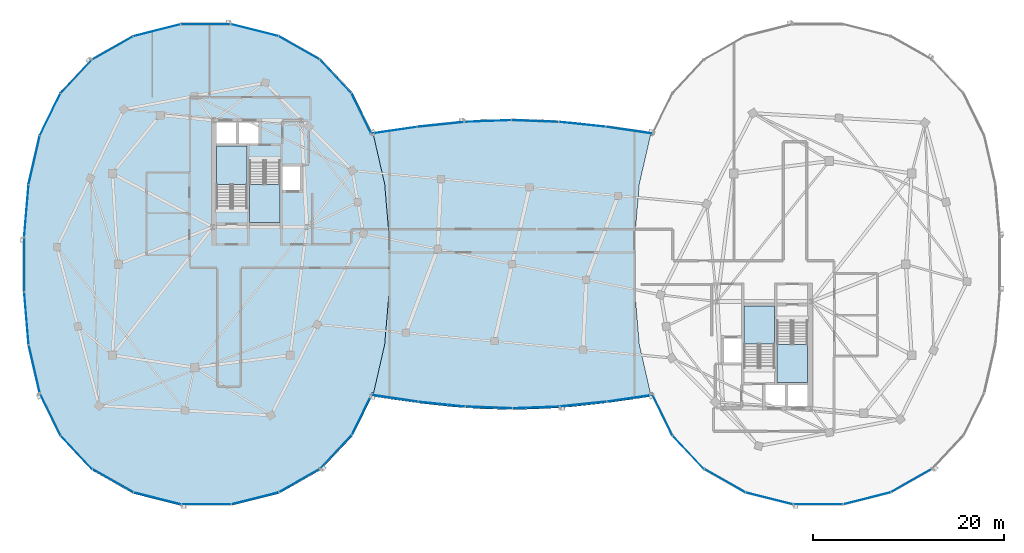
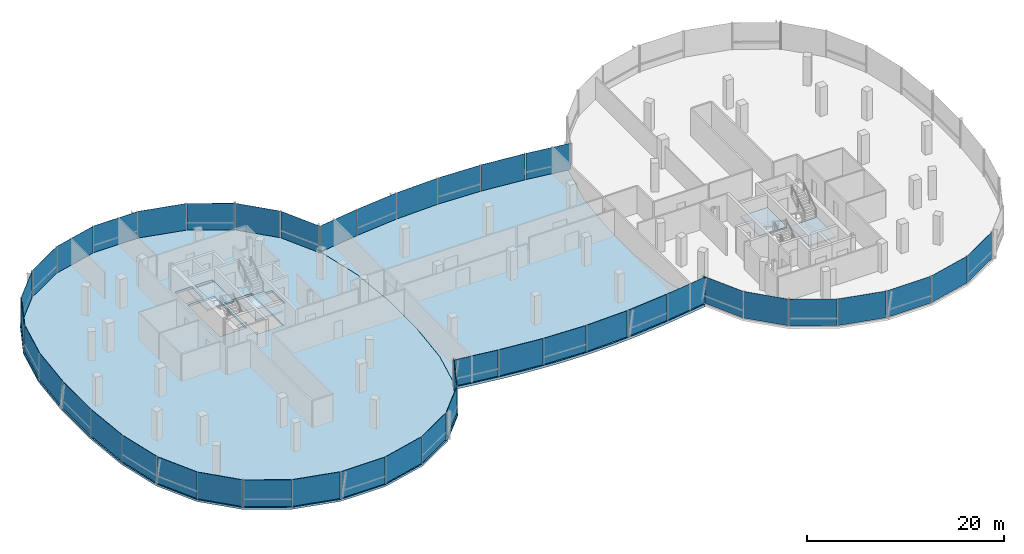
# One storey, part 12 of 24: 42 plates, 6 slabs, 11 elements without a shape of their own.
"""IFC4 building model written with IfcOpenShell, lengths in metres."""

from ifc_helpers import new_model, si_unit, direction, frame, origin, origin_2d, place, context, subcontext, project, spatial, polyline, rectangle, outline, extrude, material, layer, layer_set, type_object, element, aggregate, save


model = new_model("IFC4")

# Units and contexts
model_context = context("Model", 3, precision=1e-05, world=origin(), true_north=direction((0.0, 1.0)))
body_context = subcontext(model_context, "Body", "Model", "MODEL_VIEW")
ifc_project = project(units=[si_unit("LENGTHUNIT", "METRE"), si_unit("AREAUNIT", "SQUARE_METRE"), si_unit("VOLUMEUNIT", "CUBIC_METRE"), si_unit("PLANEANGLEUNIT", "RADIAN"), si_unit("MASSUNIT", "GRAM", prefix="KILO"), si_unit("THERMODYNAMICTEMPERATUREUNIT", "KELVIN"), si_unit("POWERUNIT", "WATT")], contexts=[model_context])

# Site, building, storey
site_placement = place(None, origin())
site = spatial("IfcSite", under=ifc_project, at=site_placement, CompositionType="ELEMENT")
building_placement = place(site_placement, origin())
building = spatial("IfcBuilding", under=site, at=building_placement, Name="Cundina Bronze Exchange", CompositionType="ELEMENT")
storey_placement = place(building_placement, frame((0.0, 0.0, 268.39990234375)))
storey = spatial("IfcBuildingStorey", under=building, at=storey_placement, Name="L71", CompositionType="ELEMENT", Elevation=268.39990234375)

# Curtain wall, plates
ifc_material_1 = material(Name="Anodised Bronze Aluminium 6063-T6", Category="aluminium")
curtain_wall_type = type_object("IfcCurtainWallType", Name="CWS-SKG-BRG", PredefinedType="NOTDEFINED", material=ifc_material_1)
curtain_wall_1_placement = place(storey_placement, origin())
curtain_wall_1 = element("IfcCurtainWall", 1, at=curtain_wall_1_placement, inside=storey, type_object=curtain_wall_type, Name="L71 CW-06 Curtain Wall Run CWR-L71-W1", PredefinedType="NOTDEFINED")
ifc_material_2 = material(Name="Heat-Strengthened Solar-Control Bronze Safety Glass 28mm", Category="glass")
ifc_layer_1 = layer(ifc_material_2, 0.028076171875, Name="Heat-Strengthened Solar-Control Bronze Safety Glass 28mm", Category="glass")
ifc_layer_set_1 = layer_set([ifc_layer_1], Name="Heat-Strengthened Solar-Control Bronze Safety Glass 28mm")
plate_type_1 = type_object("IfcPlateType", Name="PLT-GLZ-VIS28", PredefinedType="CURTAIN_PANEL", material=ifc_layer_set_1)
plate_1_placement = place(storey_placement, frame((-15.69873046875, 15.68017578125, 0.02001953125), z_axis=(0.0, 0.0, 1.0), x_axis=(-0.440503330345, 0.897750976582, 0.0)))
plate_1 = element("IfcPlate", 2, at=plate_1_placement, type_object=plate_type_1, Name="CW-06 Glazed Panel 1", PredefinedType="CURTAIN_PANEL", context=body_context, shape_type="SweptSolid", body=[
    extrude(rectangle(XDim=4.863525390625, YDim=0.028076171875, at=origin_2d()), origin(), (0.0, 0.0, 1.0), 3.300048828125),
])
plate_2_placement = place(storey_placement, frame((-18.431884765625, 19.64501953125, 0.02001953125), z_axis=(0.0, 0.0, 1.0), x_axis=(-0.684343512797, 0.72915976061, 0.0)))
plate_2 = element("IfcPlate", 3, at=plate_2_placement, type_object=plate_type_1, Name="CW-06 Glazed Panel 2", PredefinedType="CURTAIN_PANEL", context=body_context, shape_type="SweptSolid", body=[
    extrude(rectangle(XDim=4.773193359375, YDim=0.028076171875, at=origin_2d()), origin(), (0.0, 0.0, 1.0), 3.300048828125),
])
plate_3_placement = place(storey_placement, frame((-22.23828125, 22.6279296875, 0.02001953125), z_axis=(0.0, 0.0, 1.0), x_axis=(-0.869572506985, 0.493805280547, 0.0)))
plate_3 = element("IfcPlate", 4, at=plate_3_placement, type_object=plate_type_1, Name="CW-06 Glazed Panel 3", PredefinedType="CURTAIN_PANEL", context=body_context, shape_type="SweptSolid", body=[
    extrude(rectangle(XDim=4.907958984375, YDim=0.028076171875, at=origin_2d()), origin(), (0.0, 0.0, 1.0), 3.300048828125),
])
plate_4_placement = place(storey_placement, frame((-32.0, 25.110107421875, 0.02001953125), z_axis=(0.0, 0.0, 1.0), x_axis=(-1.0, 0.0, 0.0)))
plate_4 = element("IfcPlate", 5, at=plate_4_placement, type_object=plate_type_1, Name="CW-06 Glazed Panel 5", PredefinedType="CURTAIN_PANEL", context=body_context, shape_type="SweptSolid", body=[
    extrude(rectangle(XDim=5.16796875, YDim=0.028076171875, at=origin_2d()), origin(), (0.0, 0.0, 1.0), 3.300048828125),
])
plate_5_placement = place(storey_placement, frame((-37.109375, 24.4814453125, 0.02001953125), z_axis=(0.0, 0.0, 1.0), x_axis=(-0.969731542251, -0.244173577528, 0.0)))
plate_5 = element("IfcPlate", 6, at=plate_5_placement, type_object=plate_type_1, Name="CW-06 Glazed Panel 6", PredefinedType="CURTAIN_PANEL", context=body_context, shape_type="SweptSolid", body=[
    extrude(rectangle(XDim=5.0908203125, YDim=0.028076171875, at=origin_2d()), origin(), (0.0, 0.0, 1.0), 3.300048828125),
])
plate_6_placement = place(storey_placement, frame((-41.76171875, 22.6279296875, 0.02001953125), z_axis=(0.0, 0.0, 1.0), x_axis=(-0.869572506985, -0.493805280547, 0.0)))
plate_6 = element("IfcPlate", 7, at=plate_6_placement, type_object=plate_type_1, Name="CW-06 Glazed Panel 7", PredefinedType="CURTAIN_PANEL", context=body_context, shape_type="SweptSolid", body=[
    extrude(rectangle(XDim=4.907958984375, YDim=0.028076171875, at=origin_2d()), origin(), (0.0, 0.0, 1.0), 3.300048828125),
])

curtain_wall_2_placement = place(storey_placement, origin())
curtain_wall_2 = element("IfcCurtainWall", 8, at=curtain_wall_2_placement, inside=storey, type_object=curtain_wall_type, Name="L71 CW-06 Curtain Wall Run CWR-L71-W2", PredefinedType="NOTDEFINED")
plate_7_placement = place(storey_placement, frame((-45.568115234375, 19.64501953125, 0.02001953125), z_axis=(0.0, 0.0, 1.0), x_axis=(-0.684343512797, -0.72915976061, 0.0)))
plate_7 = element("IfcPlate", 9, at=plate_7_placement, type_object=plate_type_1, Name="CW-06 Glazed Panel 1", PredefinedType="CURTAIN_PANEL", context=body_context, shape_type="SweptSolid", body=[
    extrude(rectangle(XDim=4.773193359375, YDim=0.028076171875, at=origin_2d()), origin(), (0.0, 0.0, 1.0), 3.300048828125),
])
plate_8_placement = place(storey_placement, frame((-48.30126953125, 15.68017578125, 0.02001953125), z_axis=(0.0, 0.0, 1.0), x_axis=(-0.440503330345, -0.897750976582, 0.0)))
plate_8 = element("IfcPlate", 10, at=plate_8_placement, type_object=plate_type_1, Name="CW-06 Glazed Panel 2", PredefinedType="CURTAIN_PANEL", context=body_context, shape_type="SweptSolid", body=[
    extrude(rectangle(XDim=4.863525390625, YDim=0.028076171875, at=origin_2d()), origin(), (0.0, 0.0, 1.0), 3.300048828125),
])
plate_9_placement = place(storey_placement, frame((-50.78662109375, 5.605712890625, 0.02001953125), z_axis=(0.0, 0.0, 1.0), x_axis=(-0.083747411454, -0.996487015006, 0.0)))
plate_9 = element("IfcPlate", 11, at=plate_9_placement, type_object=plate_type_1, Name="CW-06 Glazed Panel 4", PredefinedType="CURTAIN_PANEL", context=body_context, shape_type="SweptSolid", body=[
    extrude(rectangle(XDim=5.474609375, YDim=0.028076171875, at=origin_2d()), origin(), (0.0, 0.0, 1.0), 3.300048828125),
])
plate_10_placement = place(storey_placement, frame((-51.01904296875, 0.0, 0.02001953125), z_axis=(0.0, 0.0, 1.0), x_axis=(0.0, -1.0, 0.0)))
plate_10 = element("IfcPlate", 12, at=plate_10_placement, type_object=plate_type_1, Name="CW-06 Glazed Panel 5", PredefinedType="CURTAIN_PANEL", context=body_context, shape_type="SweptSolid", body=[
    extrude(rectangle(XDim=5.597900390625, YDim=0.028076171875, at=origin_2d()), origin(), (0.0, 0.0, 1.0), 3.300048828125),
])
plate_11_placement = place(storey_placement, frame((-50.78662109375, -5.605712890625, 0.02001953125), z_axis=(0.0, 0.0, 1.0), x_axis=(0.083747411454, -0.996487015006, 0.0)))
plate_11 = element("IfcPlate", 13, at=plate_11_placement, type_object=plate_type_1, Name="CW-06 Glazed Panel 6", PredefinedType="CURTAIN_PANEL", context=body_context, shape_type="SweptSolid", body=[
    extrude(rectangle(XDim=5.474609375, YDim=0.028076171875, at=origin_2d()), origin(), (0.0, 0.0, 1.0), 3.300048828125),
])
plate_12_placement = place(storey_placement, frame((-49.96923828125, -10.922607421875, 0.02001953125), z_axis=(0.0, 0.0, 1.0), x_axis=(0.223284141459, -0.974753400698, 0.0)))
plate_12 = element("IfcPlate", 14, at=plate_12_placement, type_object=plate_type_1, Name="CW-06 Glazed Panel 7", PredefinedType="CURTAIN_PANEL", context=body_context, shape_type="SweptSolid", body=[
    extrude(rectangle(XDim=5.167724609375, YDim=0.028076171875, at=origin_2d()), origin(), (0.0, 0.0, 1.0), 3.300048828125),
])

curtain_wall_3_placement = place(storey_placement, origin())
curtain_wall_3 = element("IfcCurtainWall", 15, at=curtain_wall_3_placement, inside=storey, type_object=curtain_wall_type, Name="L71 CW-06 Curtain Wall Run CWR-L71-W3", PredefinedType="NOTDEFINED")
plate_13_placement = place(storey_placement, frame((-48.30126953125, -15.68017578125, 0.02001953125), z_axis=(0.0, 0.0, 1.0), x_axis=(0.440503330345, -0.897750976582, 0.0)))
plate_13 = element("IfcPlate", 16, at=plate_13_placement, type_object=plate_type_1, Name="CW-06 Glazed Panel 1", PredefinedType="CURTAIN_PANEL", context=body_context, shape_type="SweptSolid", body=[
    extrude(rectangle(XDim=4.863525390625, YDim=0.028076171875, at=origin_2d()), origin(), (0.0, 0.0, 1.0), 3.300048828125),
])
plate_14_placement = place(storey_placement, frame((-41.76171875, -22.6279296875, 0.02001953125), z_axis=(0.0, 0.0, 1.0), x_axis=(0.869572506985, -0.493805280547, 0.0)))
plate_14 = element("IfcPlate", 17, at=plate_14_placement, type_object=plate_type_1, Name="CW-06 Glazed Panel 3", PredefinedType="CURTAIN_PANEL", context=body_context, shape_type="SweptSolid", body=[
    extrude(rectangle(XDim=4.907958984375, YDim=0.028076171875, at=origin_2d()), origin(), (0.0, 0.0, 1.0), 3.300048828125),
])
plate_15_placement = place(storey_placement, frame((-37.109375, -24.4814453125, 0.02001953125), z_axis=(0.0, 0.0, 1.0), x_axis=(0.969731542251, -0.244173577528, 0.0)))
plate_15 = element("IfcPlate", 18, at=plate_15_placement, type_object=plate_type_1, Name="CW-06 Glazed Panel 4", PredefinedType="CURTAIN_PANEL", context=body_context, shape_type="SweptSolid", body=[
    extrude(rectangle(XDim=5.0908203125, YDim=0.028076171875, at=origin_2d()), origin(), (0.0, 0.0, 1.0), 3.300048828125),
])
plate_16_placement = place(storey_placement, frame((-32.0, -25.110107421875, 0.02001953125), z_axis=(0.0, 0.0, 1.0), x_axis=(1.0, 0.0, 0.0)))
plate_16 = element("IfcPlate", 19, at=plate_16_placement, type_object=plate_type_1, Name="CW-06 Glazed Panel 5", PredefinedType="CURTAIN_PANEL", context=body_context, shape_type="SweptSolid", body=[
    extrude(rectangle(XDim=5.16796875, YDim=0.028076171875, at=origin_2d()), origin(), (0.0, 0.0, 1.0), 3.300048828125),
])
plate_17_placement = place(storey_placement, frame((-26.890625, -24.4814453125, 0.02001953125), z_axis=(0.0, 0.0, 1.0), x_axis=(0.969731542251, 0.244173577528, 0.0)))
plate_17 = element("IfcPlate", 20, at=plate_17_placement, type_object=plate_type_1, Name="CW-06 Glazed Panel 6", PredefinedType="CURTAIN_PANEL", context=body_context, shape_type="SweptSolid", body=[
    extrude(rectangle(XDim=5.0908203125, YDim=0.028076171875, at=origin_2d()), origin(), (0.0, 0.0, 1.0), 3.300048828125),
])

# Curtain wall, plate
curtain_wall_4_placement = place(storey_placement, origin())
curtain_wall_4 = element("IfcCurtainWall", 21, at=curtain_wall_4_placement, inside=storey, type_object=curtain_wall_type, Name="L71 CW-06 Curtain Wall Run CWR-L71-W4", PredefinedType="NOTDEFINED")
plate_18_placement = place(storey_placement, frame((-15.69873046875, -15.68017578125, 0.02001953125), z_axis=(0.0, 0.0, 1.0), x_axis=(0.440503330345, 0.897750976582, 0.0)))
plate_18 = element("IfcPlate", 22, at=plate_18_placement, type_object=plate_type_1, Name="CW-06 Glazed Panel 2", PredefinedType="CURTAIN_PANEL", context=body_context, shape_type="SweptSolid", body=[
    extrude(rectangle(XDim=4.863525390625, YDim=0.028076171875, at=origin_2d()), origin(), (0.0, 0.0, 1.0), 3.300048828125),
])

# Curtain wall, plates
curtain_wall_5_placement = place(storey_placement, origin())
curtain_wall_5 = element("IfcCurtainWall", 23, at=curtain_wall_5_placement, inside=storey, type_object=curtain_wall_type, Name="L71 CW-06 Curtain Wall Run CWR-L71-E3", PredefinedType="NOTDEFINED")
plate_19_placement = place(storey_placement, frame((15.69873046875, -15.68017578125, 0.02001953125), z_axis=(0.0, 0.0, 1.0), x_axis=(0.440503330345, -0.897750976582, 0.0)))
plate_19 = element("IfcPlate", 24, at=plate_19_placement, type_object=plate_type_1, Name="CW-06 Glazed Panel 1", PredefinedType="CURTAIN_PANEL", context=body_context, shape_type="SweptSolid", body=[
    extrude(rectangle(XDim=4.863525390625, YDim=0.028076171875, at=origin_2d()), origin(), (0.0, 0.0, 1.0), 3.300048828125),
])
plate_20_placement = place(storey_placement, frame((22.23828125, -22.6279296875, 0.02001953125), z_axis=(0.0, 0.0, 1.0), x_axis=(0.869572506985, -0.493805280547, 0.0)))
plate_20 = element("IfcPlate", 25, at=plate_20_placement, type_object=plate_type_1, Name="CW-06 Glazed Panel 3", PredefinedType="CURTAIN_PANEL", context=body_context, shape_type="SweptSolid", body=[
    extrude(rectangle(XDim=4.907958984375, YDim=0.028076171875, at=origin_2d()), origin(), (0.0, 0.0, 1.0), 3.300048828125),
])
plate_21_placement = place(storey_placement, frame((26.890625, -24.4814453125, 0.02001953125), z_axis=(0.0, 0.0, 1.0), x_axis=(0.969731542251, -0.244173577528, 0.0)))
plate_21 = element("IfcPlate", 26, at=plate_21_placement, type_object=plate_type_1, Name="CW-06 Glazed Panel 4", PredefinedType="CURTAIN_PANEL", context=body_context, shape_type="SweptSolid", body=[
    extrude(rectangle(XDim=5.0908203125, YDim=0.028076171875, at=origin_2d()), origin(), (0.0, 0.0, 1.0), 3.300048828125),
])
plate_22_placement = place(storey_placement, frame((32.0, -25.110107421875, 0.02001953125), z_axis=(0.0, 0.0, 1.0), x_axis=(1.0, 0.0, 0.0)))
plate_22 = element("IfcPlate", 27, at=plate_22_placement, type_object=plate_type_1, Name="CW-06 Glazed Panel 5", PredefinedType="CURTAIN_PANEL", context=body_context, shape_type="SweptSolid", body=[
    extrude(rectangle(XDim=5.16796875, YDim=0.028076171875, at=origin_2d()), origin(), (0.0, 0.0, 1.0), 3.300048828125),
])
plate_23_placement = place(storey_placement, frame((37.109375, -24.4814453125, 0.02001953125), z_axis=(0.0, 0.0, 1.0), x_axis=(0.969731542251, 0.244173577528, 0.0)))
plate_23 = element("IfcPlate", 28, at=plate_23_placement, type_object=plate_type_1, Name="CW-06 Glazed Panel 6", PredefinedType="CURTAIN_PANEL", context=body_context, shape_type="SweptSolid", body=[
    extrude(rectangle(XDim=5.0908203125, YDim=0.028076171875, at=origin_2d()), origin(), (0.0, 0.0, 1.0), 3.300048828125),
])

curtain_wall_6_placement = place(storey_placement, origin())
curtain_wall_6 = element("IfcCurtainWall", 29, at=curtain_wall_6_placement, inside=storey, type_object=curtain_wall_type, Name="L71 CW-06 Curtain Wall Run CWR-L71-BRGS", PredefinedType="NOTDEFINED")
plate_24_placement = place(storey_placement, frame((-12.356201171875, -14.012451171875, 0.02001953125), z_axis=(0.0, 0.0, 1.0), x_axis=(0.989528308409, -0.144338930496, 0.0)))
plate_24 = element("IfcPlate", 30, at=plate_24_placement, type_object=plate_type_1, Name="CW-06 Glazed Panel 1", PredefinedType="CURTAIN_PANEL", context=body_context, shape_type="SweptSolid", body=[
    extrude(rectangle(XDim=4.912353515625, YDim=0.028076171875, at=origin_2d()), origin(), (0.0, 0.0, 1.0), 3.239990234375),
])
plate_25_placement = place(storey_placement, frame((-7.41162109375, -14.629150390625, 0.02001953125), z_axis=(0.0, 0.0, 1.0), x_axis=(0.994672274174, -0.103087666525, 0.0)))
plate_25 = element("IfcPlate", 31, at=plate_25_placement, type_object=plate_type_1, Name="CW-06 Glazed Panel 2", PredefinedType="CURTAIN_PANEL", context=body_context, shape_type="SweptSolid", body=[
    extrude(rectangle(XDim=4.886474609375, YDim=0.028076171875, at=origin_2d()), origin(), (0.0, 0.0, 1.0), 3.239990234375),
])
plate_26_placement = place(storey_placement, frame((-2.47021484375, -14.9775390625, 0.02001953125), z_axis=(0.0, 0.0, 1.0), x_axis=(0.999302568116, -0.037341362551, 0.0)))
plate_26 = element("IfcPlate", 32, at=plate_26_placement, type_object=plate_type_1, Name="CW-06 Glazed Panel 3", PredefinedType="CURTAIN_PANEL", context=body_context, shape_type="SweptSolid", body=[
    extrude(rectangle(XDim=4.863525390625, YDim=0.028076171875, at=origin_2d()), origin(), (0.0, 0.0, 1.0), 3.239990234375),
])
plate_27_placement = place(storey_placement, frame((2.47021484375, -14.9775390625, 0.02001953125), z_axis=(0.0, 0.0, 1.0), x_axis=(0.999302568116, 0.037341362551, 0.0)))
plate_27 = element("IfcPlate", 33, at=plate_27_placement, type_object=plate_type_1, Name="CW-06 Glazed Panel 4", PredefinedType="CURTAIN_PANEL", context=body_context, shape_type="SweptSolid", body=[
    extrude(rectangle(XDim=4.863525390625, YDim=0.028076171875, at=origin_2d()), origin(), (0.0, 0.0, 1.0), 3.239990234375),
])
plate_28_placement = place(storey_placement, frame((12.356201171875, -14.012451171875, 0.02001953125), z_axis=(0.0, 0.0, 1.0), x_axis=(0.989528308409, 0.144338930496, 0.0)))
plate_28 = element("IfcPlate", 34, at=plate_28_placement, type_object=plate_type_1, Name="CW-06 Glazed Panel 6", PredefinedType="CURTAIN_PANEL", context=body_context, shape_type="SweptSolid", body=[
    extrude(rectangle(XDim=4.912353515625, YDim=0.028076171875, at=origin_2d()), origin(), (0.0, 0.0, 1.0), 3.239990234375),
])

curtain_wall_7_placement = place(storey_placement, origin())
curtain_wall_7 = element("IfcCurtainWall", 35, at=curtain_wall_7_placement, inside=storey, type_object=curtain_wall_type, Name="L71 CW-06 Curtain Wall Run CWR-L71-BRGN", PredefinedType="NOTDEFINED")
plate_29_placement = place(storey_placement, frame((12.356201171875, 14.012451171875, 0.02001953125), z_axis=(0.0, 0.0, 1.0), x_axis=(-0.989528308409, 0.144338930496, 0.0)))
plate_29 = element("IfcPlate", 36, at=plate_29_placement, type_object=plate_type_1, Name="CW-06 Glazed Panel 1", PredefinedType="CURTAIN_PANEL", context=body_context, shape_type="SweptSolid", body=[
    extrude(rectangle(XDim=4.912353515625, YDim=0.028076171875, at=origin_2d()), origin(), (0.0, 0.0, 1.0), 3.239990234375),
])
plate_30_placement = place(storey_placement, frame((2.47021484375, 14.9775390625, 0.02001953125), z_axis=(0.0, 0.0, 1.0), x_axis=(-0.999302568116, 0.037341362551, 0.0)))
plate_30 = element("IfcPlate", 37, at=plate_30_placement, type_object=plate_type_1, Name="CW-06 Glazed Panel 3", PredefinedType="CURTAIN_PANEL", context=body_context, shape_type="SweptSolid", body=[
    extrude(rectangle(XDim=4.863525390625, YDim=0.028076171875, at=origin_2d()), origin(), (0.0, 0.0, 1.0), 3.239990234375),
])
plate_31_placement = place(storey_placement, frame((-2.47021484375, 14.9775390625, 0.02001953125), z_axis=(0.0, 0.0, 1.0), x_axis=(-0.999302568116, -0.037341362551, 0.0)))
plate_31 = element("IfcPlate", 38, at=plate_31_placement, type_object=plate_type_1, Name="CW-06 Glazed Panel 4", PredefinedType="CURTAIN_PANEL", context=body_context, shape_type="SweptSolid", body=[
    extrude(rectangle(XDim=4.863525390625, YDim=0.028076171875, at=origin_2d()), origin(), (0.0, 0.0, 1.0), 3.239990234375),
])
plate_32_placement = place(storey_placement, frame((-7.41162109375, 14.629150390625, 0.02001953125), z_axis=(0.0, 0.0, 1.0), x_axis=(-0.994672274174, -0.103087666525, 0.0)))
plate_32 = element("IfcPlate", 39, at=plate_32_placement, type_object=plate_type_1, Name="CW-06 Glazed Panel 5", PredefinedType="CURTAIN_PANEL", context=body_context, shape_type="SweptSolid", body=[
    extrude(rectangle(XDim=4.886474609375, YDim=0.028076171875, at=origin_2d()), origin(), (0.0, 0.0, 1.0), 3.239990234375),
])
plate_33_placement = place(storey_placement, frame((-12.356201171875, 14.012451171875, 0.02001953125), z_axis=(0.0, 0.0, 1.0), x_axis=(-0.989528308409, -0.144338930496, 0.0)))
plate_33 = element("IfcPlate", 40, at=plate_33_placement, type_object=plate_type_1, Name="CW-06 Glazed Panel 6", PredefinedType="CURTAIN_PANEL", context=body_context, shape_type="SweptSolid", body=[
    extrude(rectangle(XDim=4.912353515625, YDim=0.028076171875, at=origin_2d()), origin(), (0.0, 0.0, 1.0), 3.239990234375),
])

# Plate
ifc_material_3 = material(Name="Dark Bronze Spandrel Glass Panel 32mm", Category="glass")
ifc_layer_2 = layer(ifc_material_3, 0.031982421875, Name="Dark Bronze Spandrel Glass Panel 32mm", Category="glass")
ifc_layer_set_2 = layer_set([ifc_layer_2], Name="Dark Bronze Spandrel Glass Panel 32mm")
plate_type_2 = type_object("IfcPlateType", Name="PLT-SPN-BRZ32", PredefinedType="CURTAIN_PANEL", material=ifc_layer_set_2)
plate_34_placement = place(storey_placement, frame((-26.890625, 24.4814453125, 0.02001953125), z_axis=(0.0, 0.0, 1.0), x_axis=(-0.969731542251, 0.244173577528, 0.0)))
plate_34 = element("IfcPlate", 41, at=plate_34_placement, type_object=plate_type_2, Name="CW-06 Glazed Panel 4", PredefinedType="CURTAIN_PANEL", context=body_context, shape_type="SweptSolid", body=[
    extrude(rectangle(XDim=5.0908203125, YDim=0.031982421875, at=origin_2d()), origin(), (0.0, 0.0, 1.0), 3.300048828125),
])

aggregate(curtain_wall_1, [plate_1, plate_2, plate_3, plate_34, plate_4, plate_5, plate_6])

plate_35_placement = place(storey_placement, frame((-49.96923828125, 10.922607421875, 0.02001953125), z_axis=(0.0, 0.0, 1.0), x_axis=(-0.223284141459, -0.974753400698, 0.0)))
plate_35 = element("IfcPlate", 42, at=plate_35_placement, type_object=plate_type_2, Name="CW-06 Glazed Panel 3", PredefinedType="CURTAIN_PANEL", context=body_context, shape_type="SweptSolid", body=[
    extrude(rectangle(XDim=5.167724609375, YDim=0.031982421875, at=origin_2d()), origin(), (0.0, 0.0, 1.0), 3.300048828125),
])

aggregate(curtain_wall_2, [plate_7, plate_8, plate_35, plate_9, plate_10, plate_11, plate_12])

plate_36_placement = place(storey_placement, frame((-45.568115234375, -19.64501953125, 0.02001953125), z_axis=(0.0, 0.0, 1.0), x_axis=(0.684343512797, -0.72915976061, 0.0)))
plate_36 = element("IfcPlate", 43, at=plate_36_placement, type_object=plate_type_2, Name="CW-06 Glazed Panel 2", PredefinedType="CURTAIN_PANEL", context=body_context, shape_type="SweptSolid", body=[
    extrude(rectangle(XDim=4.773193359375, YDim=0.031982421875, at=origin_2d()), origin(), (0.0, 0.0, 1.0), 3.300048828125),
])

plate_37_placement = place(storey_placement, frame((-22.23828125, -22.6279296875, 0.02001953125), z_axis=(0.0, 0.0, 1.0), x_axis=(0.869572506985, 0.493805280547, 0.0)))
plate_37 = element("IfcPlate", 44, at=plate_37_placement, type_object=plate_type_2, Name="CW-06 Glazed Panel 7", PredefinedType="CURTAIN_PANEL", context=body_context, shape_type="SweptSolid", body=[
    extrude(rectangle(XDim=4.907958984375, YDim=0.031982421875, at=origin_2d()), origin(), (0.0, 0.0, 1.0), 3.300048828125),
])

aggregate(curtain_wall_3, [plate_13, plate_36, plate_14, plate_15, plate_16, plate_17, plate_37])

plate_38_placement = place(storey_placement, frame((-18.431884765625, -19.64501953125, 0.02001953125), z_axis=(0.0, 0.0, 1.0), x_axis=(0.684343512797, 0.72915976061, 0.0)))
plate_38 = element("IfcPlate", 45, at=plate_38_placement, type_object=plate_type_2, Name="CW-06 Glazed Panel 1", PredefinedType="CURTAIN_PANEL", context=body_context, shape_type="SweptSolid", body=[
    extrude(rectangle(XDim=4.773193359375, YDim=0.031982421875, at=origin_2d()), origin(), (0.0, 0.0, 1.0), 3.300048828125),
])

aggregate(curtain_wall_4, [plate_38, plate_18])

plate_39_placement = place(storey_placement, frame((18.431884765625, -19.64501953125, 0.02001953125), z_axis=(0.0, 0.0, 1.0), x_axis=(0.684343512797, -0.72915976061, 0.0)))
plate_39 = element("IfcPlate", 46, at=plate_39_placement, type_object=plate_type_2, Name="CW-06 Glazed Panel 2", PredefinedType="CURTAIN_PANEL", context=body_context, shape_type="SweptSolid", body=[
    extrude(rectangle(XDim=4.773193359375, YDim=0.031982421875, at=origin_2d()), origin(), (0.0, 0.0, 1.0), 3.300048828125),
])

plate_40_placement = place(storey_placement, frame((41.76171875, -22.6279296875, 0.02001953125), z_axis=(0.0, 0.0, 1.0), x_axis=(0.869572506985, 0.493805280547, 0.0)))
plate_40 = element("IfcPlate", 47, at=plate_40_placement, type_object=plate_type_2, Name="CW-06 Glazed Panel 7", PredefinedType="CURTAIN_PANEL", context=body_context, shape_type="SweptSolid", body=[
    extrude(rectangle(XDim=4.907958984375, YDim=0.031982421875, at=origin_2d()), origin(), (0.0, 0.0, 1.0), 3.300048828125),
])

aggregate(curtain_wall_5, [plate_19, plate_39, plate_20, plate_21, plate_22, plate_23, plate_40])

plate_41_placement = place(storey_placement, frame((7.41162109375, -14.629150390625, 0.02001953125), z_axis=(0.0, 0.0, 1.0), x_axis=(0.994672274174, 0.103087666525, 0.0)))
plate_41 = element("IfcPlate", 48, at=plate_41_placement, type_object=plate_type_2, Name="CW-06 Glazed Panel 5", PredefinedType="CURTAIN_PANEL", context=body_context, shape_type="SweptSolid", body=[
    extrude(rectangle(XDim=4.886474609375, YDim=0.031982421875, at=origin_2d()), origin(), (0.0, 0.0, 1.0), 3.239990234375),
])

aggregate(curtain_wall_6, [plate_24, plate_25, plate_26, plate_27, plate_41, plate_28])

plate_42_placement = place(storey_placement, frame((7.41162109375, 14.629150390625, 0.02001953125), z_axis=(0.0, 0.0, 1.0), x_axis=(-0.994672274174, 0.103087666525, 0.0)))
plate_42 = element("IfcPlate", 49, at=plate_42_placement, type_object=plate_type_2, Name="CW-06 Glazed Panel 2", PredefinedType="CURTAIN_PANEL", context=body_context, shape_type="SweptSolid", body=[
    extrude(rectangle(XDim=4.886474609375, YDim=0.031982421875, at=origin_2d()), origin(), (0.0, 0.0, 1.0), 3.239990234375),
])

aggregate(curtain_wall_7, [plate_29, plate_42, plate_30, plate_31, plate_32, plate_33])

# Slab
ifc_material_4 = material(Name="Concrete C50/60", Category="concrete")
ifc_layer_3 = layer(ifc_material_4, 0.320068359375, Name="Concrete C50/60", Category="concrete")
ifc_layer_set_3 = layer_set([ifc_layer_3], Name="Concrete C50/60")
slab_type_1 = type_object("IfcSlabType", Name="SLB-BRG-320", PredefinedType="FLOOR", material=ifc_layer_set_3)
slab_1_placement = place(storey_placement, frame((0.0, 0.0, -0.31982421875)))
element("IfcSlab", 50, at=slab_1_placement, inside=storey, type_object=slab_type_1, Name="L71 Sky-Gate Bridge Deck Slab", PredefinedType="FLOOR", context=body_context, shape_type="SweptSolid", body=[
    extrude(outline(polyline([(12.800048828125, -14.093994140625), (9.60009765625, -14.5400390625), (6.39990234375, -14.89404296875), (3.199951171875, -15.1220703125), (0.0, -15.199951171875), (-3.199951171875, -15.1220703125), (-6.39990234375, -14.89404296875), (-9.60009765625, -14.5400390625), (-12.800048828125, -14.093994140625), (-14.634033203125, -13.81103515625), (-14.489013671875, -13.514892578125), (-14.489013671875, -13.514892578125), (-14.489013671875, -13.513916015625), (-13.31494140625, -8.388916015625), (-13.31494140625, -8.388916015625), (-12.84912109375, -2.843994140625), (-12.84912109375, -2.843994140625), (-12.84912109375, 2.843994140625), (-12.84912109375, 2.843994140625), (-13.31494140625, 8.388916015625), (-13.31494140625, 8.388916015625), (-14.489013671875, 13.513916015625), (-14.489013671875, 13.514892578125), (-14.489013671875, 13.514892578125), (-14.634033203125, 13.81103515625), (-12.800048828125, 14.093994140625), (-9.60009765625, 14.5400390625), (-6.39990234375, 14.89404296875), (-3.199951171875, 15.1220703125), (0.0, 15.199951171875), (3.199951171875, 15.1220703125), (6.39990234375, 14.89404296875), (9.60009765625, 14.5400390625), (12.800048828125, 14.093994140625), (14.634033203125, 13.81103515625), (14.489013671875, 13.514892578125), (14.489013671875, 13.514892578125), (14.489013671875, 13.513916015625), (13.31494140625, 8.388916015625), (13.31494140625, 8.388916015625), (12.84912109375, 2.843994140625), (12.84912109375, 2.843994140625), (12.84912109375, -2.843994140625), (12.84912109375, -2.843994140625), (13.31494140625, -8.388916015625), (13.31494140625, -8.388916015625), (14.489013671875, -13.513916015625), (14.489013671875, -13.514892578125), (14.489013671875, -13.514892578125), (14.634033203125, -13.81103515625), (12.800048828125, -14.093994140625)])), origin(), (0.0, 0.0, 1.0), 0.31982421875),
])

# Stair, slab
ifc_material_5 = material(Name="Concrete C40/50", Category="concrete")
stair_type = type_object("IfcStairType", Name="STR-OFF-360", PredefinedType="HALF_TURN_STAIR", material=ifc_material_5)
stair_1_placement = place(storey_placement, origin())
stair_1 = element("IfcStair", 51, at=stair_1_placement, inside=storey, type_object=stair_type, Name="L71 Smokeproof Exit Stair W1", PredefinedType="HALF_TURN_STAIR")
ifc_layer_4 = layer(ifc_material_5, 0.199951171875, Name="Concrete C40/50", Category="concrete")
ifc_layer_set_4 = layer_set([ifc_layer_4], Name="Concrete C40/50")
slab_type_2 = type_object("IfcSlabType", Name="SLB-LND-200", PredefinedType="LANDING", material=ifc_layer_set_4)
slab_2_placement = place(storey_placement, frame((0.0, 0.0, 1.60009765625)))
slab_2 = element("IfcSlab", 52, at=slab_2_placement, type_object=slab_type_2, Name="ST-W1 landing 1", PredefinedType="LANDING", context=body_context, shape_type="SweptSolid", body=[
    extrude(outline(polyline([(-27.739990234375, 8.3701171875), (-27.739990234375, 12.35009765625), (-30.89990234375, 12.35009765625), (-30.89990234375, 8.3701171875), (-27.739990234375, 8.3701171875)])), origin(), (0.0, 0.0, 1.0), 0.199951171875),
])
aggregate(stair_1, [slab_2])

stair_2_placement = place(storey_placement, origin())
stair_2 = element("IfcStair", 53, at=stair_2_placement, inside=storey, type_object=stair_type, Name="L71 Smokeproof Exit Stair W2", PredefinedType="HALF_TURN_STAIR")
slab_3_placement = place(storey_placement, frame((0.0, 0.0, 1.60009765625)))
slab_3 = element("IfcSlab", 54, at=slab_3_placement, type_object=slab_type_2, Name="ST-W2 landing 1", PredefinedType="LANDING", context=body_context, shape_type="SweptSolid", body=[
    extrude(outline(polyline([(-27.43994140625, 8.330078125), (-27.43994140625, 4.35009765625), (-24.280029296875, 4.35009765625), (-24.280029296875, 8.330078125), (-27.43994140625, 8.330078125)])), origin(), (0.0, 0.0, 1.0), 0.199951171875),
])
aggregate(stair_2, [slab_3])

stair_3_placement = place(storey_placement, origin())
stair_3 = element("IfcStair", 55, at=stair_3_placement, inside=storey, type_object=stair_type, Name="L71 Smokeproof Exit Stair E1", PredefinedType="HALF_TURN_STAIR")
slab_4_placement = place(storey_placement, frame((0.0, 0.0, 1.60009765625)))
slab_4 = element("IfcSlab", 56, at=slab_4_placement, type_object=slab_type_2, Name="ST-E1 landing 1", PredefinedType="LANDING", context=body_context, shape_type="SweptSolid", body=[
    extrude(outline(polyline([(27.739990234375, -8.3701171875), (27.739990234375, -12.35009765625), (30.89990234375, -12.35009765625), (30.89990234375, -8.3701171875), (27.739990234375, -8.3701171875)])), origin(), (0.0, 0.0, 1.0), 0.199951171875),
])
aggregate(stair_3, [slab_4])

stair_4_placement = place(storey_placement, origin())
stair_4 = element("IfcStair", 57, at=stair_4_placement, inside=storey, type_object=stair_type, Name="L71 Smokeproof Exit Stair E2", PredefinedType="HALF_TURN_STAIR")
slab_5_placement = place(storey_placement, frame((0.0, 0.0, 1.60009765625)))
slab_5 = element("IfcSlab", 58, at=slab_5_placement, type_object=slab_type_2, Name="ST-E2 landing 1", PredefinedType="LANDING", context=body_context, shape_type="SweptSolid", body=[
    extrude(outline(polyline([(27.43994140625, -8.330078125), (27.43994140625, -4.35009765625), (24.280029296875, -4.35009765625), (24.280029296875, -8.330078125), (27.43994140625, -8.330078125)])), origin(), (0.0, 0.0, 1.0), 0.199951171875),
])
aggregate(stair_4, [slab_5])

# Slab
ifc_layer_5 = layer(ifc_material_4, 0.260009765625, Name="Concrete C50/60", Category="concrete")
ifc_layer_set_5 = layer_set([ifc_layer_5], Name="Concrete C50/60")
slab_type_3 = type_object("IfcSlabType", Name="SLB-OFF-260", PredefinedType="FLOOR", material=ifc_layer_set_5)
slab_6_placement = place(storey_placement, frame((0.0, 0.0, -0.260009765625)))
element("IfcSlab", 59, at=slab_6_placement, inside=storey, type_object=slab_type_3, Name="L71 Leg W Structural Floor Slab", PredefinedType="FLOOR", context=body_context, shape_type="SweptSolid", body=[
    extrude(outline(polyline([(-12.85107421875, 2.843994140625), (-13.31689453125, 8.388916015625), (-14.490966796875, 13.513916015625), (-16.673095703125, 17.9609375), (-20.0009765625, 21.507080078125), (-24.346923828125, 23.97509765625), (-29.37109375, 25.239990234375), (-34.62890625, 25.239990234375), (-39.653076171875, 23.97509765625), (-43.9990234375, 21.507080078125), (-47.326904296875, 17.9609375), (-49.509033203125, 13.513916015625), (-50.68310546875, 8.388916015625), (-51.14892578125, 2.843994140625), (-51.14892578125, -2.843994140625), (-50.68310546875, -8.388916015625), (-49.509033203125, -13.513916015625), (-47.326904296875, -17.9609375), (-43.9990234375, -21.507080078125), (-39.653076171875, -23.97509765625), (-34.62890625, -25.239990234375), (-29.37109375, -25.239990234375), (-24.346923828125, -23.97509765625), (-20.0009765625, -21.507080078125), (-16.673095703125, -17.9609375), (-14.490966796875, -13.513916015625), (-13.31689453125, -8.388916015625), (-12.85107421875, -2.843994140625), (-12.85107421875, 2.843994140625)]), holes=[polyline([(-27.739990234375, 5.85009765625), (-27.739990234375, 12.35009765625), (-30.89990234375, 12.35009765625), (-30.89990234375, 5.85009765625), (-27.739990234375, 5.85009765625)]), polyline([(-27.43994140625, 10.85009765625), (-27.43994140625, 4.35009765625), (-24.280029296875, 4.35009765625), (-24.280029296875, 10.85009765625), (-27.43994140625, 10.85009765625)]), polyline([(-23.97998046875, 10.25), (-22.179931640625, 10.25), (-22.179931640625, 7.75), (-23.97998046875, 7.75), (-23.97998046875, 10.25)]), polyline([(-30.89990234375, 14.949951171875), (-28.85009765625, 14.949951171875), (-28.85009765625, 12.64990234375), (-30.89990234375, 12.64990234375), (-30.89990234375, 14.949951171875)]), polyline([(-28.550048828125, 14.949951171875), (-26.5, 14.949951171875), (-26.5, 12.64990234375), (-28.550048828125, 12.64990234375), (-28.550048828125, 14.949951171875)])]), origin(), (0.0, 0.0, 1.0), 0.260009765625),
])

save(model, "model.ifc")
